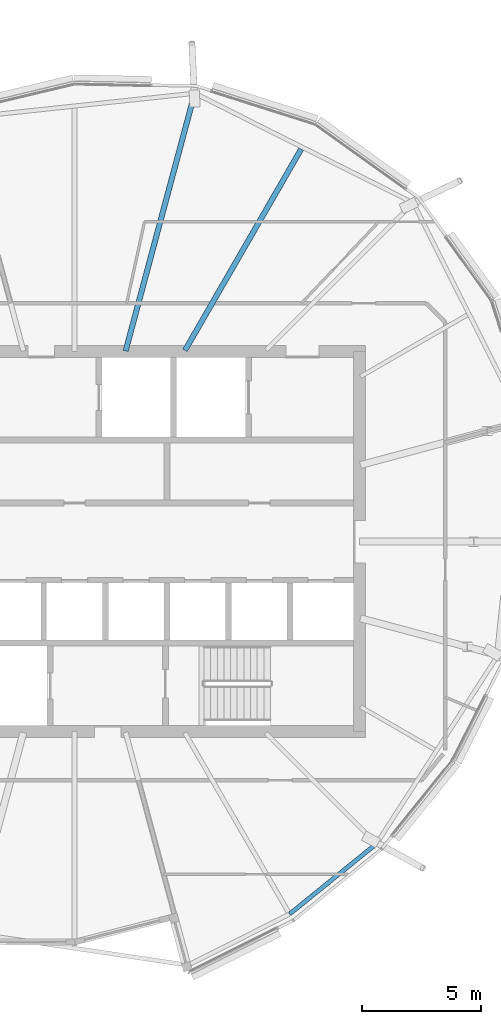
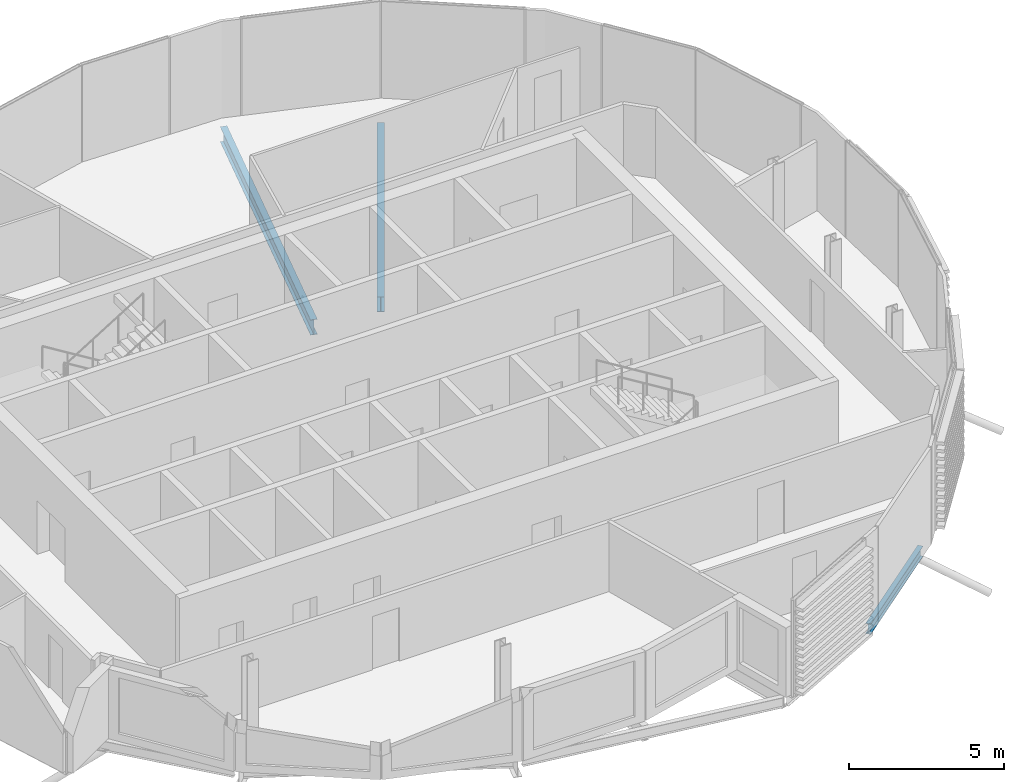
# One storey, part 12 of 33: 3 beams.
"""IFC4 building model written with IfcOpenShell, lengths in metres."""

from ifc_helpers import new_model, si_unit, direction, frame, origin, origin_2d, place, context, subcontext, project, spatial, i_section, extrude, material, material_profile, profile_set, type_object, element, save


model = new_model("IFC4")

# Units and contexts
model_context = context("Model", 3, precision=1e-05, world=origin(), true_north=direction((0.0, 1.0)))
body_context = subcontext(model_context, "Body", "Model", "MODEL_VIEW")
ifc_project = project(units=[si_unit("LENGTHUNIT", "METRE"), si_unit("AREAUNIT", "SQUARE_METRE"), si_unit("VOLUMEUNIT", "CUBIC_METRE"), si_unit("PLANEANGLEUNIT", "RADIAN"), si_unit("MASSUNIT", "GRAM", prefix="KILO")], contexts=[model_context])

# Site, building, storey
site_placement = place(None, origin())
site = spatial("IfcSite", under=ifc_project, at=site_placement, CompositionType="ELEMENT")
building_placement = place(site_placement, origin())
building = spatial("IfcBuilding", under=site, at=building_placement, Name="Rimbun Link Towers", CompositionType="ELEMENT")
storey_placement = place(building_placement, frame((0.0, 0.0, 237.10009765625)))
storey = spatial("IfcBuildingStorey", under=building, at=storey_placement, Name="L58", CompositionType="ELEMENT", Elevation=237.10009765625)

# Beams
ifc_material_1 = material(Name="Steel S355J2", Category="steel")
ifc_material_profile_1 = material_profile(ifc_material_1, i_section(OverallWidth=0.177978515625, OverallDepth=0.406494140625, WebThickness=0.0078125, FlangeThickness=0.0126953125, at=origin_2d()), Name="UB 406x178x60")
ifc_profile_set_1 = profile_set([ifc_material_profile_1], Name="Steel S355J2")
beam_type_1 = type_object("IfcBeamType", Name="UB 406x178x60", PredefinedType="BEAM", material=ifc_profile_set_1)
beam_1_placement = place(storey_placement, frame((40.8125, -15.676025390625, -0.34326171875), z_axis=(0.77729445117, 0.62913697728, 0.0), x_axis=(-0.62913697728, 0.77729445117, 0.0)))
element("IfcBeam", 1, at=beam_1_placement, inside=storey, type_object=beam_type_1, Name="Edge beam T2 L58 17", PredefinedType="BEAM", context=body_context, shape_type="SweptSolid", body=[
    extrude(i_section(OverallWidth=0.177978515625, OverallDepth=0.406494140625, WebThickness=0.0078125, FlangeThickness=0.0126953125, at=origin_2d()), origin(), (0.0, 0.0, 1.0), 4.701416015625),
])
ifc_material_2 = material(Name="Steel S355J2", Category="steel")
ifc_material_profile_2 = material_profile(ifc_material_2, i_section(OverallWidth=0.2275390625, OverallDepth=0.6025390625, WebThickness=0.010498046875, FlangeThickness=0.014892578125, at=origin_2d()), Name="UB 610x229x101")
ifc_profile_set_2 = profile_set([ifc_material_profile_2], Name="Steel S355J2")
beam_type_2 = type_object("IfcBeamType", Name="UB 610x229x101", PredefinedType="BEAM", material=ifc_profile_set_2)
beam_2_placement = place(storey_placement, frame((36.402099609375, 8.057861328125, -0.44140625), z_axis=(0.500009012216, 0.866020200517, 0.0), x_axis=(-0.866020200517, 0.500009012216, 0.0)))
element("IfcBeam", 2, at=beam_2_placement, inside=storey, type_object=beam_type_2, Name="Radial beam T2 L58 01", PredefinedType="BEAM", context=body_context, shape_type="SweptSolid", body=[
    extrude(i_section(OverallWidth=0.2275390625, OverallDepth=0.6025390625, WebThickness=0.010498046875, FlangeThickness=0.014892578125, at=origin_2d()), origin(), (0.0, 0.0, 1.0), 9.783935546875),
])
beam_3_placement = place(storey_placement, frame((33.901611328125, 8.030517578125, -0.44140625), z_axis=(0.258833850967, 0.965921858948, 0.0), x_axis=(-0.965921858948, 0.258833850967, 0.0)))
element("IfcBeam", 3, at=beam_3_placement, inside=storey, type_object=beam_type_2, Name="Radial beam T2 L58 02", PredefinedType="BEAM", context=body_context, shape_type="SweptSolid", body=[
    extrude(i_section(OverallWidth=0.2275390625, OverallDepth=0.6025390625, WebThickness=0.010498046875, FlangeThickness=0.014892578125, at=origin_2d()), origin(), (0.0, 0.0, 1.0), 11.23388671875),
])

save(model, "model.ifc")
